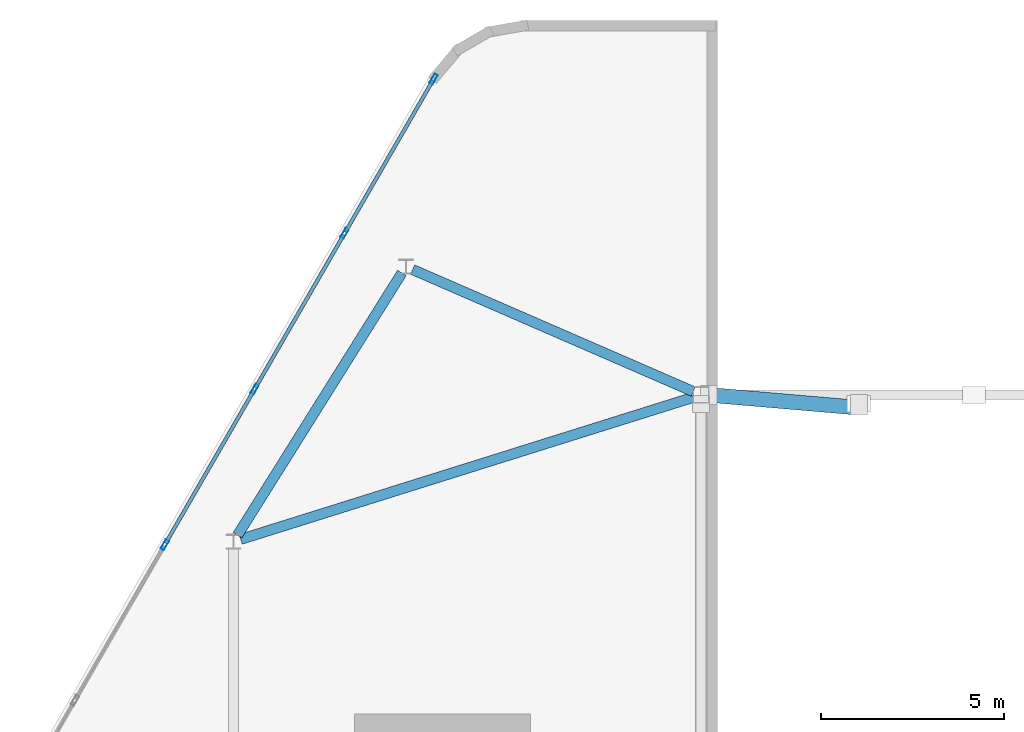
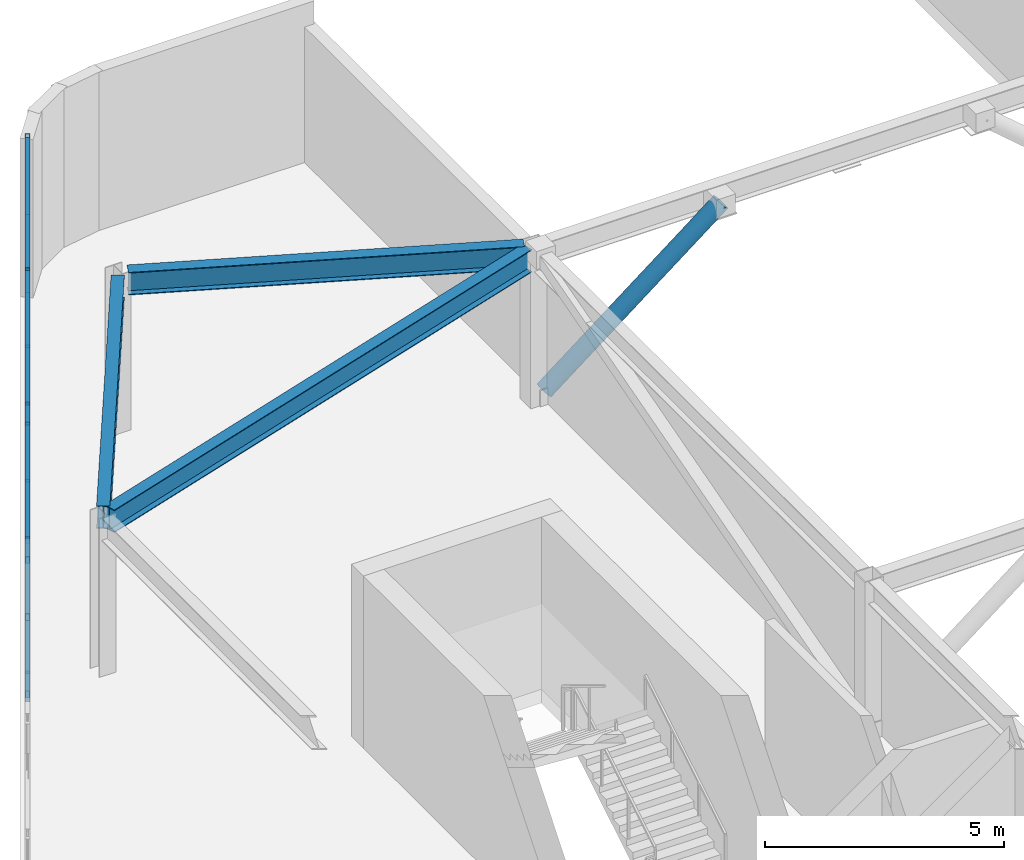
# One storey, part 10 of 16: 14 members, 3 beams, 1 element without a shape of its own.
"""IFC4 building model written with IfcOpenShell, lengths in metres."""

import ifcopenshell
import ifcopenshell.guid

model = None  # the IFC model being written
_history = None  # IfcOwnerHistory: only IFC2X3 demands one
_inside = {}  # id of a spatial element -> (the spatial element, [elements in it])
_under = {}  # id of a project, library or spatial element -> (it, [spatial elements below it])
_declared = {}  # id of a project -> (the project, [libraries it declares])
_typed = {}  # id of a type object -> (the type object, [elements of that type])
_made_of = {}  # id of a material, layer set ... -> (it, [elements and type objects made of it])


def new_model(schema):
    """Start an empty IFC model of exactly this schema.

    Asked for "IFC4X3", IfcOpenShell would pick the latest addendum, in which some entities
    have other attributes; the version numbers below select the first issue.
    IFC2X3 requires an IfcOwnerHistory on every rooted entity: one is made here for all.
    """
    global model, _history
    if schema == "IFC4X3":
        model = ifcopenshell.file(schema_version=(4, 3, 0, 0))
    else:
        model = ifcopenshell.file(schema=schema)
    _inside.clear()
    _under.clear()
    _declared.clear()
    _typed.clear()
    _made_of.clear()
    _history = None
    if model.schema == "IFC2X3":
        org = make("IfcOrganization", Name="unknown")
        user = make(
            "IfcPersonAndOrganization",
            ThePerson=make("IfcPerson", FamilyName="unknown"),
            TheOrganization=org,
        )
        app = make(
            "IfcApplication",
            ApplicationDeveloper=org,
            Version="unknown",
            ApplicationFullName="unknown",
            ApplicationIdentifier="unknown",
        )
        _history = make(
            "IfcOwnerHistory",
            OwningUser=user,
            OwningApplication=app,
            ChangeAction="ADDED",
            CreationDate=0,
        )
    return model


def make(cls, **values):
    """One entity of the class cls with the attributes given. An attribute that is None is left unset."""
    return model.create_entity(
        cls, **{name: value for name, value in values.items() if value is not None}
    )


def rooted(cls, **values):
    """An entity with a GlobalId (a new one), such as an element, a storey or a relation."""
    return make(cls, GlobalId=ifcopenshell.guid.new(), OwnerHistory=_history, **values)


def si_unit(unit_type, name, prefix=None):
    """IfcSIUnit, for example si_unit("LENGTHUNIT", "METRE", prefix="MILLI")."""
    return make("IfcSIUnit", UnitType=unit_type, Prefix=prefix, Name=name)


def assignment(units):
    """IfcUnitAssignment: the units of a project."""
    return None if units is None else make("IfcUnitAssignment", Units=units)


def point(xyz):
    """IfcCartesianPoint."""
    return None if xyz is None else make("IfcCartesianPoint", Coordinates=xyz)


def direction(xyz):
    """IfcDirection."""
    return None if xyz is None else make("IfcDirection", DirectionRatios=xyz)


def frame(location, z_axis=None, x_axis=None):
    """IfcAxis2Placement3D, a coordinate frame: its origin and axes. An axis left out is left unset."""
    return make(
        "IfcAxis2Placement3D",
        Location=point(location),
        Axis=direction(z_axis),
        RefDirection=direction(x_axis),
    )


def frame_2d(location, x_axis=None):
    """IfcAxis2Placement2D, a coordinate frame in the plane: its origin and x axis."""
    return make(
        "IfcAxis2Placement2D", Location=point(location), RefDirection=direction(x_axis)
    )


def origin():
    """The frame at (0, 0, 0) with its axes left unset."""
    return frame((0.0, 0.0, 0.0))


def origin_2d():
    """The frame at (0, 0) in the plane with its x axis left unset."""
    return frame_2d((0.0, 0.0))


def place(relative_to, where):
    """IfcLocalPlacement: puts the frame where relative to a parent placement (None: the world)."""
    return make(
        "IfcLocalPlacement", PlacementRelTo=relative_to, RelativePlacement=where
    )


def context(
    kind, dimensions, precision=None, world=None, true_north=None, identifier=None
):
    """IfcGeometricRepresentationContext, for example the 3D "Model" context."""
    return make(
        "IfcGeometricRepresentationContext",
        ContextIdentifier=identifier,
        ContextType=kind,
        CoordinateSpaceDimension=dimensions,
        Precision=precision,
        WorldCoordinateSystem=world,
        TrueNorth=true_north,
    )


def subcontext(parent, identifier, kind, view, scale=None):
    """IfcGeometricRepresentationSubContext, for example "Body" below "Model"."""
    return make(
        "IfcGeometricRepresentationSubContext",
        ContextIdentifier=identifier,
        ContextType=kind,
        ParentContext=parent,
        TargetScale=scale,
        TargetView=view,
    )


def project(units=None, contexts=None):
    """IfcProject with its units and contexts."""
    return rooted(
        "IfcProject",
        Name="project",
        RepresentationContexts=contexts,
        UnitsInContext=assignment(units),
    )


def spatial(cls, under=None, at=None, **own):
    """A site, building, storey or space (cls), placed at a placement, below another one or the project."""
    s = rooted(cls, ObjectPlacement=at, **own)
    if under is not None:
        _under.setdefault(under.id(), (under, []))[1].append(s)
    return s


def profile(cls, at=None, kind="AREA", **sizes):
    """A parametric profile (cls). Its sizes go by their IFC names, for example OverallWidth=200.0."""
    return make(cls, ProfileType=kind, Position=at, **sizes)


def hollow_rectangle(**sizes):
    """IfcRectangleHollowProfileDef."""
    return profile("IfcRectangleHollowProfileDef", **sizes)


def hollow_circle(**sizes):
    """IfcCircleHollowProfileDef."""
    return profile("IfcCircleHollowProfileDef", **sizes)


def i_section(**sizes):
    """IfcIShapeProfileDef."""
    return profile("IfcIShapeProfileDef", **sizes)


def extrude(swept, where, along, depth):
    """IfcExtrudedAreaSolid: the profile swept, set in the frame where, extruded along a direction by depth."""
    return make(
        "IfcExtrudedAreaSolid",
        SweptArea=swept,
        Position=where,
        ExtrudedDirection=direction(along),
        Depth=depth,
    )


def shape(context_of_items, identifier, shape_type, items):
    """IfcShapeRepresentation: the items that make up one representation, for example the "Body"."""
    return make(
        "IfcShapeRepresentation",
        ContextOfItems=context_of_items,
        RepresentationIdentifier=identifier,
        RepresentationType=shape_type,
        Items=items,
    )


def material(Name=None, Category=None):
    """IfcMaterial."""
    return make("IfcMaterial", Name=Name, Category=Category)


def material_profile(
    of_material, cross_section, Name=None, Category=None, Priority=None
):
    """IfcMaterialProfile: a cross section and its material."""
    return make(
        "IfcMaterialProfile",
        Name=Name,
        Material=of_material,
        Profile=cross_section,
        Priority=Priority,
        Category=Category,
    )


def profile_set(profiles, Name=None, composite=None):
    """IfcMaterialProfileSet."""
    return make(
        "IfcMaterialProfileSet",
        Name=Name,
        MaterialProfiles=profiles,
        CompositeProfile=composite,
    )


def made_of(thing, what):
    """Note that an element or type object is made of a material, layer set ...; save() writes the relation."""
    if what is not None:
        _made_of.setdefault(what.id(), (what, []))[1].append(thing)
    return thing


def type_object(cls, material=None, **own):
    """A type object (cls), such as IfcWallType, which elements share."""
    return made_of(rooted(cls, **own), material)


def element(
    cls,
    number,
    at=None,
    inside=None,
    cuts=None,
    type_object=None,
    material=None,
    context=None,
    identifier="Body",
    shape_type=None,
    held_by="IfcProductDefinitionShape",
    body=None,
    shapes=None,
    **own,
):
    """One element of the class cls, such as IfcWall. Its Tag is "e" and its number.

    at: its placement. inside: the storey or other place that contains it. cuts: it is an
    opening in that element (IfcRelVoidsElement). A single representation is given by context,
    identifier, shape_type and body (its items); several are given by shapes. held_by: the class
    of the entity that holds the representations. save() writes the other relations.
    """
    e = rooted(cls, Tag="e%d" % number, ObjectPlacement=at, **own)
    if body is not None:
        shapes = [shape(context, identifier, shape_type, body)]
    if shapes is not None:
        e.Representation = make(held_by, Representations=shapes)
    if inside is not None:
        _inside.setdefault(inside.id(), (inside, []))[1].append(e)
    if cuts is not None:
        rooted(
            "IfcRelVoidsElement", RelatingBuildingElement=cuts, RelatedOpeningElement=e
        )
    if type_object is not None:
        _typed.setdefault(type_object.id(), (type_object, []))[1].append(e)
    return made_of(e, material)


def aggregate(whole, parts):
    """IfcRelAggregates: a whole, such as a stair, and the parts it consists of."""
    return rooted("IfcRelAggregates", RelatingObject=whole, RelatedObjects=parts)


def save(model, path):
    """Write the relations noted so far, then the file.

    IfcRelAggregates (storeys below a building ...), IfcRelContainedInSpatialStructure (elements
    in a storey), IfcRelDefinesByType, IfcRelAssociatesMaterial and IfcRelDeclares: one each for
    every whole, place, type object, material and project.
    """
    for whole, parts in _under.values():
        aggregate(whole, parts)
    for where, things in _inside.values():
        rooted(
            "IfcRelContainedInSpatialStructure",
            RelatedElements=things,
            RelatingStructure=where,
        )
    for kind, things in _typed.values():
        rooted("IfcRelDefinesByType", RelatedObjects=things, RelatingType=kind)
    for what, things in _made_of.values():
        rooted("IfcRelAssociatesMaterial", RelatedObjects=things, RelatingMaterial=what)
    for by, libraries in _declared.values():
        rooted("IfcRelDeclares", RelatingContext=by, RelatedDefinitions=libraries)
    model.write(path)


model = new_model("IFC4")

# Units and contexts
model_context = context("Model", 3, precision=1e-05, world=origin(), true_north=direction((0.0, 1.0)))
body_context = subcontext(model_context, "Body", "Model", "MODEL_VIEW")
ifc_project = project(units=[si_unit("LENGTHUNIT", "METRE"), si_unit("AREAUNIT", "SQUARE_METRE"), si_unit("VOLUMEUNIT", "CUBIC_METRE"), si_unit("PLANEANGLEUNIT", "RADIAN"), si_unit("MASSUNIT", "GRAM", prefix="KILO")], contexts=[model_context])

# Site, building, storey
site_placement = place(None, origin())
site = spatial("IfcSite", under=ifc_project, at=site_placement, CompositionType="ELEMENT")
building_placement = place(site_placement, origin())
building = spatial("IfcBuilding", under=site, at=building_placement, Name="Zuhravey Tower", CompositionType="ELEMENT")
storey_placement = place(building_placement, frame((0.0, 0.0, 365.800048828125)))
storey = spatial("IfcBuildingStorey", under=building, at=storey_placement, Name="L93", CompositionType="ELEMENT", Elevation=365.800048828125)

# Curtain wall, members
ifc_material_1 = material(Name="Thermally broken anodised aluminium", Category="aluminium")
curtain_wall_type = type_object("IfcCurtainWallType", Name="Split-Top Crown Screened Curtain Wall CW6", PredefinedType="NOTDEFINED", material=ifc_material_1)
curtain_wall_placement = place(storey_placement, origin())
curtain_wall = element("IfcCurtainWall", 1, at=curtain_wall_placement, inside=storey, type_object=curtain_wall_type, Name="L93 CW6 CW6-L93-WEST-08", PredefinedType="NOTDEFINED")
ifc_material_2 = material(Name="Anodised aluminium", Category="aluminium")
ifc_material_profile_1 = material_profile(ifc_material_2, hollow_rectangle(XDim=0.10009765625, YDim=0.2900390625, WallThickness=0.006103515625, at=origin_2d()), Name="ALU-RHS-100x290x6")
ifc_profile_set_1 = profile_set([ifc_material_profile_1], Name="Anodised aluminium")
member_type_1 = type_object("IfcMemberType", Name="Heavy Tall-Storey Mullion 100x220", PredefinedType="MULLION", material=ifc_profile_set_1)
member_1_placement = place(storey_placement, frame((13.9248046875, 41.912841796875, 0.0), z_axis=(0.0, 0.0, 1.0), x_axis=(-0.866027063754, 0.499997124838, 0.0)))
member_1 = element("IfcMember", 2, at=member_1_placement, type_object=member_type_1, Name="CW6 mullion 3", PredefinedType="MULLION", context=body_context, shape_type="SweptSolid", body=[
    extrude(hollow_rectangle(XDim=0.10009765625, YDim=0.2900390625, WallThickness=0.006103515625, at=origin_2d()), origin(), (0.0, 0.0, 1.0), 4.050048828125),
])
member_2_placement = place(storey_placement, frame((16.377685546875, 46.161376953125, 0.0), z_axis=(0.0, 0.0, 1.0), x_axis=(-0.866027063754, 0.499997124838, 0.0)))
member_2 = element("IfcMember", 3, at=member_2_placement, type_object=member_type_1, Name="CW6 mullion 4", PredefinedType="MULLION", context=body_context, shape_type="SweptSolid", body=[
    extrude(hollow_rectangle(XDim=0.10009765625, YDim=0.2900390625, WallThickness=0.006103515625, at=origin_2d()), origin(), (0.0, 0.0, 1.0), 4.050048828125),
])
member_3_placement = place(storey_placement, frame((18.83056640625, 50.409912109375, 0.0), z_axis=(0.0, 0.0, 1.0), x_axis=(-0.866027063754, 0.499997124838, 0.0)))
member_3 = element("IfcMember", 4, at=member_3_placement, type_object=member_type_1, Name="CW6 mullion 5", PredefinedType="MULLION", context=body_context, shape_type="SweptSolid", body=[
    extrude(hollow_rectangle(XDim=0.10009765625, YDim=0.2900390625, WallThickness=0.006103515625, at=origin_2d()), origin(), (0.0, 0.0, 1.0), 4.050048828125),
])
member_4_placement = place(storey_placement, frame((21.258544921875, 54.615234375, 0.0), z_axis=(0.0, 0.0, 1.0), x_axis=(-0.866027063754, 0.499997124838, 0.0)))
member_4 = element("IfcMember", 5, at=member_4_placement, type_object=member_type_1, Name="CW6 mullion 6", PredefinedType="MULLION", context=body_context, shape_type="SweptSolid", body=[
    extrude(hollow_rectangle(XDim=0.10009765625, YDim=0.2900390625, WallThickness=0.006103515625, at=origin_2d()), origin(), (0.0, 0.0, 1.0), 4.050048828125),
])

# Beams
ifc_material_3 = material(Name="Steel SM355", Category="steel")
ifc_material_profile_2 = material_profile(ifc_material_3, i_section(OverallWidth=0.280029296875, OverallDepth=0.580078125, WebThickness=0.011962890625, FlangeThickness=0.01904296875, at=origin_2d()), Name="H-580x280x12x19")
ifc_profile_set_2 = profile_set([ifc_material_profile_2], Name="Steel SM355")
beam_type = type_object("IfcBeamType", Name="Perimeter Ring Beam H580x280", PredefinedType="BEAM", material=ifc_profile_set_2)
beam_1_placement = place(storey_placement, frame((15.908447265625, 42.1728515625, 3.760009765625), z_axis=(0.530996685116, 0.847373896457, 0.0), x_axis=(-0.847373896457, 0.530996685116, 0.0)))
element("IfcBeam", 6, at=beam_1_placement, inside=storey, type_object=beam_type, Name="L93 PB4 BM-L93-WCR-1-3", PredefinedType="BEAM", context=body_context, shape_type="SweptSolid", body=[
    extrude(i_section(OverallWidth=0.280029296875, OverallDepth=0.580078125, WebThickness=0.011962890625, FlangeThickness=0.01904296875, at=origin_2d()), origin(), (0.0, 0.0, 1.0), 8.44287109375),
])
beam_2_placement = place(storey_placement, frame((20.68701171875, 49.418701171875, 3.760009765625), z_axis=(0.91707145158, -0.398722902147, 0.0), x_axis=(0.398722902147, 0.91707145158, 0.0)))
element("IfcBeam", 7, at=beam_2_placement, inside=storey, type_object=beam_type, Name="L93 PB4 BM-L93-WCR-3-6", PredefinedType="BEAM", context=body_context, shape_type="SweptSolid", body=[
    extrude(i_section(OverallWidth=0.280029296875, OverallDepth=0.580078125, WebThickness=0.011962890625, FlangeThickness=0.01904296875, at=origin_2d()), origin(), (0.0, 0.0, 1.0), 8.34521484375),
])
beam_3_placement = place(storey_placement, frame((15.99462890625, 42.06103515625, 3.760009765625), z_axis=(0.954147439285, 0.299337040984, 0.0), x_axis=(-0.299337040984, 0.954147439285, 0.0)))
element("IfcBeam", 8, at=beam_3_placement, inside=storey, type_object=beam_type, Name="L93 PB4 BM-L93-WCR-1-6", PredefinedType="BEAM", context=body_context, shape_type="SweptSolid", body=[
    extrude(i_section(OverallWidth=0.280029296875, OverallDepth=0.580078125, WebThickness=0.011962890625, FlangeThickness=0.01904296875, at=origin_2d()), origin(), (0.0, 0.0, 1.0), 12.9296875),
])

# Member
ifc_material_profile_3 = material_profile(ifc_material_2, hollow_rectangle(XDim=0.10009765625, YDim=0.179931640625, WallThickness=0.006103515625, at=origin_2d()), Name="ALU-RHS-100x180x6")
ifc_profile_set_3 = profile_set([ifc_material_profile_3], Name="Anodised aluminium")
member_type_2 = type_object("IfcMemberType", Name="Tall-Storey Transom 100x180", PredefinedType="USERDEFINED", material=ifc_profile_set_3)
member_5_placement = place(storey_placement, frame((13.94970703125, 41.9560546875, 0.050048828125), z_axis=(0.50003466983, 0.866005386223, 0.0), x_axis=(-0.866005386223, 0.50003466983, 0.0)))
member_5 = element("IfcMember", 9, at=member_5_placement, type_object=member_type_2, Name="CW6 transom 3.1", ObjectType="TRANSOM", PredefinedType="USERDEFINED", context=body_context, shape_type="SweptSolid", body=[
    extrude(hollow_rectangle(XDim=0.10009765625, YDim=0.179931640625, WallThickness=0.006103515625, at=origin_2d()), origin(), (0.0, 0.0, 1.0), 4.805908203125),
])

member_6_placement = place(storey_placement, frame((13.94970703125, 41.9560546875, 2.02490234375), z_axis=(0.50003466983, 0.866005386223, 0.0), x_axis=(-0.866005386223, 0.50003466983, 0.0)))
member_6 = element("IfcMember", 10, at=member_6_placement, type_object=member_type_2, Name="CW6 transom 3.2", ObjectType="TRANSOM", PredefinedType="USERDEFINED", context=body_context, shape_type="SweptSolid", body=[
    extrude(hollow_rectangle(XDim=0.10009765625, YDim=0.179931640625, WallThickness=0.006103515625, at=origin_2d()), origin(), (0.0, 0.0, 1.0), 4.805908203125),
])

member_7_placement = place(storey_placement, frame((13.94970703125, 41.9560546875, 4.0), z_axis=(0.50003466983, 0.866005386223, 0.0), x_axis=(-0.866005386223, 0.50003466983, 0.0)))
member_7 = element("IfcMember", 11, at=member_7_placement, type_object=member_type_2, Name="CW6 transom 3.3", ObjectType="TRANSOM", PredefinedType="USERDEFINED", context=body_context, shape_type="SweptSolid", body=[
    extrude(hollow_rectangle(XDim=0.10009765625, YDim=0.179931640625, WallThickness=0.006103515625, at=origin_2d()), origin(), (0.0, 0.0, 1.0), 4.805908203125),
])

member_8_placement = place(storey_placement, frame((16.402587890625, 46.20458984375, 0.050048828125), z_axis=(0.500012672123, 0.866018087407, 0.0), x_axis=(-0.866018087407, 0.500012672123, 0.0)))
member_8 = element("IfcMember", 12, at=member_8_placement, type_object=member_type_2, Name="CW6 transom 4.1", ObjectType="TRANSOM", PredefinedType="USERDEFINED", context=body_context, shape_type="SweptSolid", body=[
    extrude(hollow_rectangle(XDim=0.10009765625, YDim=0.179931640625, WallThickness=0.006103515625, at=origin_2d()), origin(), (0.0, 0.0, 1.0), 4.80615234375),
])

member_9_placement = place(storey_placement, frame((16.402587890625, 46.20458984375, 2.02490234375), z_axis=(0.500012672123, 0.866018087407, 0.0), x_axis=(-0.866018087407, 0.500012672123, 0.0)))
member_9 = element("IfcMember", 13, at=member_9_placement, type_object=member_type_2, Name="CW6 transom 4.2", ObjectType="TRANSOM", PredefinedType="USERDEFINED", context=body_context, shape_type="SweptSolid", body=[
    extrude(hollow_rectangle(XDim=0.10009765625, YDim=0.179931640625, WallThickness=0.006103515625, at=origin_2d()), origin(), (0.0, 0.0, 1.0), 4.80615234375),
])

member_10_placement = place(storey_placement, frame((16.402587890625, 46.20458984375, 4.0), z_axis=(0.500012672123, 0.866018087407, 0.0), x_axis=(-0.866018087407, 0.500012672123, 0.0)))
member_10 = element("IfcMember", 14, at=member_10_placement, type_object=member_type_2, Name="CW6 transom 4.3", ObjectType="TRANSOM", PredefinedType="USERDEFINED", context=body_context, shape_type="SweptSolid", body=[
    extrude(hollow_rectangle(XDim=0.10009765625, YDim=0.179931640625, WallThickness=0.006103515625, at=origin_2d()), origin(), (0.0, 0.0, 1.0), 4.80615234375),
])

member_11_placement = place(storey_placement, frame((18.855712890625, 50.453125, 0.050048828125), z_axis=(0.499965384433, 0.866045388169, 0.0), x_axis=(-0.866045388169, 0.499965384433, 0.0)))
member_11 = element("IfcMember", 15, at=member_11_placement, type_object=member_type_2, Name="CW6 transom 5.1", ObjectType="TRANSOM", PredefinedType="USERDEFINED", context=body_context, shape_type="SweptSolid", body=[
    extrude(hollow_rectangle(XDim=0.10009765625, YDim=0.179931640625, WallThickness=0.006103515625, at=origin_2d()), origin(), (0.0, 0.0, 1.0), 4.755615234375),
])

member_12_placement = place(storey_placement, frame((18.855712890625, 50.453125, 2.02490234375), z_axis=(0.499965384433, 0.866045388169, 0.0), x_axis=(-0.866045388169, 0.499965384433, 0.0)))
member_12 = element("IfcMember", 16, at=member_12_placement, type_object=member_type_2, Name="CW6 transom 5.2", ObjectType="TRANSOM", PredefinedType="USERDEFINED", context=body_context, shape_type="SweptSolid", body=[
    extrude(hollow_rectangle(XDim=0.10009765625, YDim=0.179931640625, WallThickness=0.006103515625, at=origin_2d()), origin(), (0.0, 0.0, 1.0), 4.755615234375),
])

member_13_placement = place(storey_placement, frame((18.855712890625, 50.453125, 4.0), z_axis=(0.499965384433, 0.866045388169, 0.0), x_axis=(-0.866045388169, 0.499965384433, 0.0)))
member_13 = element("IfcMember", 17, at=member_13_placement, type_object=member_type_2, Name="CW6 transom 5.3", ObjectType="TRANSOM", PredefinedType="USERDEFINED", context=body_context, shape_type="SweptSolid", body=[
    extrude(hollow_rectangle(XDim=0.10009765625, YDim=0.179931640625, WallThickness=0.006103515625, at=origin_2d()), origin(), (0.0, 0.0, 1.0), 4.755615234375),
])

aggregate(curtain_wall, [member_1, member_2, member_3, member_4, member_5, member_6, member_7, member_8, member_9, member_10, member_11, member_12, member_13])

ifc_material_profile_4 = material_profile(ifc_material_3, hollow_circle(Radius=0.203125, WallThickness=0.02001953125, at=origin_2d()), Name="CHS-406.4x20")
ifc_profile_set_4 = profile_set([ifc_material_profile_4], Name="Steel SM355")
member_type_3 = type_object("IfcMemberType", Name="Wind-Portal Arch Brace CHS406x20", PredefinedType="BRACE", material=ifc_profile_set_4)
member_14_placement = place(storey_placement, frame((28.780517578125, 45.999755859375, 0.18115234375), z_axis=(0.747100108009, -0.063850111259, 0.661637810214), x_axis=(0.085153511528, 0.996367843457, 0.0)))
element("IfcMember", 18, at=member_14_placement, inside=storey, type_object=member_type_3, Name="L93 Wind-Portal Arch Brace WPB1-3W", PredefinedType="BRACE", context=body_context, shape_type="SweptSolid", body=[
    extrude(hollow_circle(Radius=0.203125, WallThickness=0.02001953125, at=origin_2d()), origin(), (0.0, 0.0, 1.0), 5.44482421875),
])

save(model, "model.ifc")
